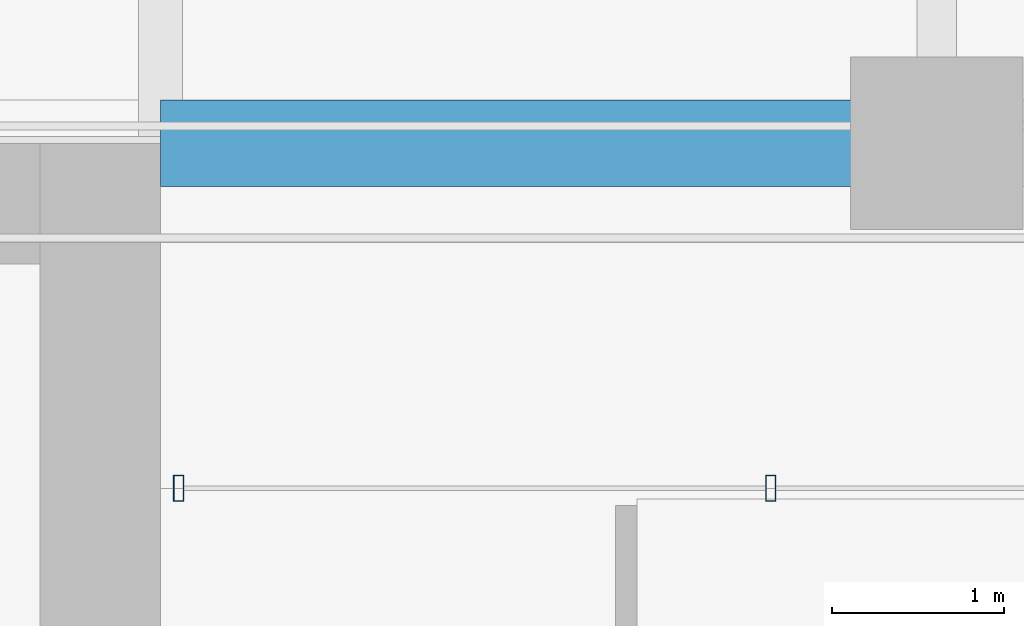
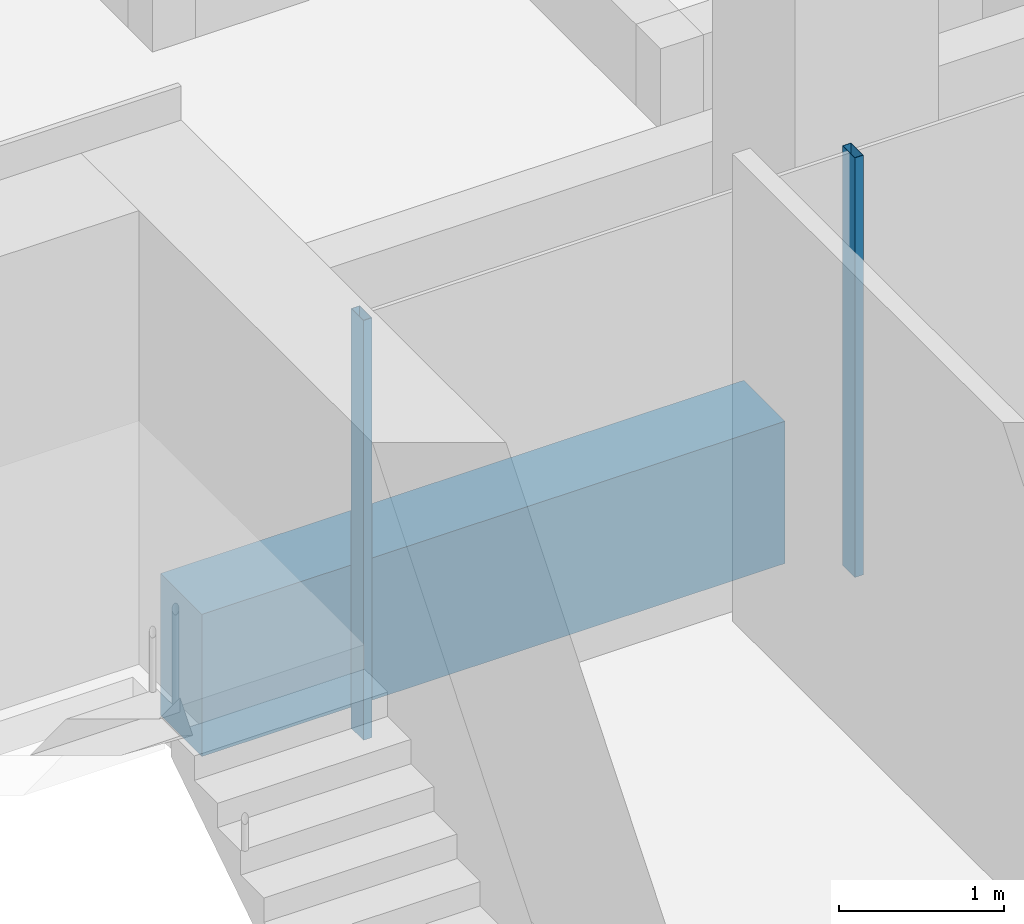
# One storey, part 39 of 52: 2 members, 1 beam, 1 element without a shape of its own.
"""IFC4 building model written with IfcOpenShell, lengths in metres."""

from ifc_helpers import new_model, si_unit, direction, frame, origin, origin_2d, place, context, subcontext, project, spatial, rectangle, hollow_rectangle, extrude, material, material_profile, profile_set, type_object, element, aggregate, save


model = new_model("IFC4")

# Units and contexts
model_context = context("Model", 3, precision=1e-05, world=origin(), true_north=direction((0.0, 1.0)))
body_context = subcontext(model_context, "Body", "Model", "MODEL_VIEW")
ifc_project = project(units=[si_unit("LENGTHUNIT", "METRE"), si_unit("AREAUNIT", "SQUARE_METRE"), si_unit("VOLUMEUNIT", "CUBIC_METRE"), si_unit("PLANEANGLEUNIT", "RADIAN"), si_unit("MASSUNIT", "GRAM", prefix="KILO")], contexts=[model_context])

# Site, building, storey
site_placement = place(None, origin())
site = spatial("IfcSite", under=ifc_project, at=site_placement, CompositionType="ELEMENT")
building_placement = place(site_placement, origin())
building = spatial("IfcBuilding", under=site, at=building_placement, Name="Altepetl Exchange Towers", CompositionType="ELEMENT")
storey_placement = place(building_placement, frame((0.0, 0.0, 92.0)))
storey = spatial("IfcBuildingStorey", under=building, at=storey_placement, Name="L22", CompositionType="ELEMENT", Elevation=92.0)

# Curtain wall, members
ifc_material_1 = material(Name="Aluminium 6063-T6 glazing", Category="aluminium")
curtain_wall_type = type_object("IfcCurtainWallType", Name="Loggia glazing system", PredefinedType="NOTDEFINED", material=ifc_material_1)
curtain_wall_placement = place(storey_placement, origin())
curtain_wall = element("IfcCurtainWall", 1, at=curtain_wall_placement, inside=storey, type_object=curtain_wall_type, Name="CW1 run", PredefinedType="NOTDEFINED")
ifc_material_2 = material(Name="Aluminium 6063-T6", Category="aluminium")
ifc_material_profile_1 = material_profile(ifc_material_2, hollow_rectangle(XDim=0.06005859375, YDim=0.14990234375, WallThickness=0.0029296875, at=origin_2d()), Name="Mullion 60x150 aluminium")
ifc_profile_set_1 = profile_set([ifc_material_profile_1], Name="Aluminium 6063-T6")
member_type = type_object("IfcMemberType", Name="Mullion 60x150 aluminium", PredefinedType="MULLION", material=ifc_profile_set_1)
member_1_placement = place(storey_placement, frame((120.53759765625, 47.5, 0.0), z_axis=(0.0, 0.0, 1.0), x_axis=(-1.0, 0.0, 0.0)))
member_1 = element("IfcMember", 2, at=member_1_placement, type_object=member_type, Name="MU1 mullion", PredefinedType="MULLION", context=body_context, shape_type="SweptSolid", body=[
    extrude(hollow_rectangle(XDim=0.06005859375, YDim=0.14990234375, WallThickness=0.0029296875, at=origin_2d()), origin(), (0.0, 0.0, 1.0), 3.10009765625),
])
member_2_placement = place(storey_placement, frame((117.10498046875, 47.5, 0.0), z_axis=(0.0, 0.0, 1.0), x_axis=(-1.0, 0.0, 0.0)))
member_2 = element("IfcMember", 3, at=member_2_placement, type_object=member_type, Name="MU1 mullion", PredefinedType="MULLION", context=body_context, shape_type="SweptSolid", body=[
    extrude(hollow_rectangle(XDim=0.06005859375, YDim=0.14990234375, WallThickness=0.0029296875, at=origin_2d()), origin(), (0.0, 0.0, 1.0), 3.10009765625),
])
aggregate(curtain_wall, [member_1, member_2])

# Beam
ifc_material_3 = material(Name="Concrete C50/60 precast with cantera amarilla facing", Category="concrete")
ifc_material_profile_2 = material_profile(ifc_material_3, rectangle(XDim=0.5, YDim=1.050048828125, at=origin_2d()), Name="500 x 1050")
ifc_profile_set_2 = profile_set([ifc_material_profile_2], Name="Concrete C50/60 precast with cantera amarilla facing")
beam_type = type_object("IfcBeamType", Name="Spandrel beam 500x1050 cantera amarilla", PredefinedType="SPANDREL", material=ifc_profile_set_2)
beam_placement = place(storey_placement, frame((121.074951171875, 49.5, -0.675048828125), z_axis=(-1.0, 0.0, 0.0), x_axis=(0.0, -1.0, 0.0)))
element("IfcBeam", 4, at=beam_placement, inside=storey, type_object=beam_type, Name="sp:B:L22:014", PredefinedType="SPANDREL", context=body_context, shape_type="SweptSolid", body=[
    extrude(rectangle(XDim=0.5, YDim=1.050048828125, at=origin_2d()), origin(), (0.0, 0.0, 1.0), 4.074951171875),
])

save(model, "model.ifc")
